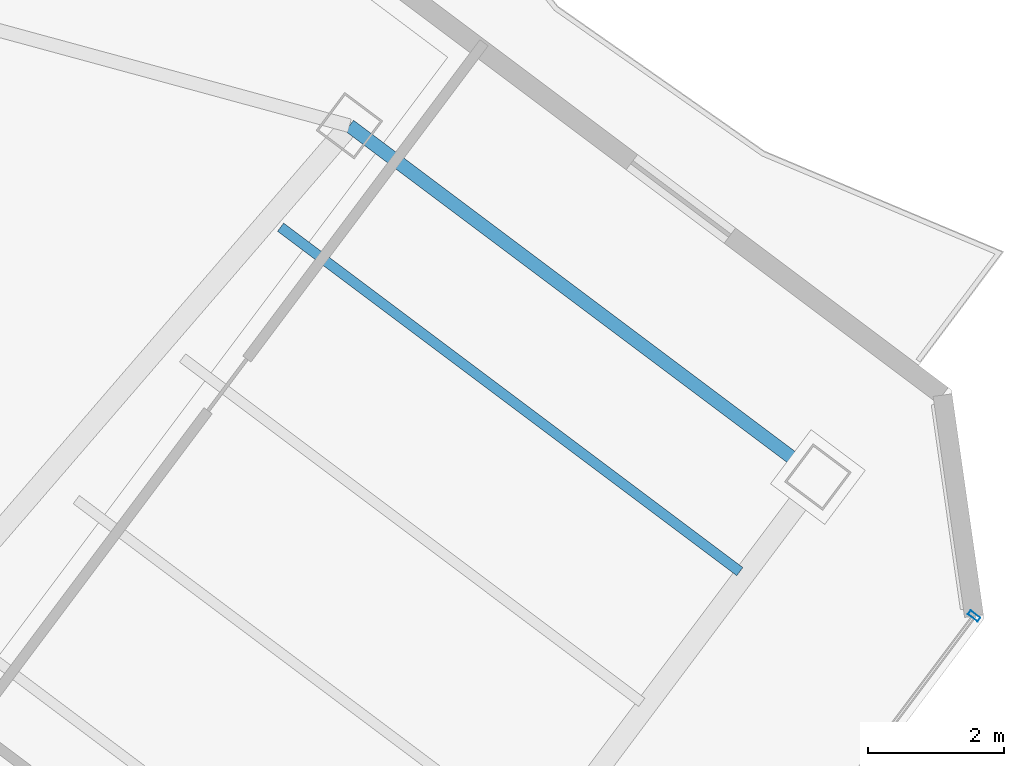
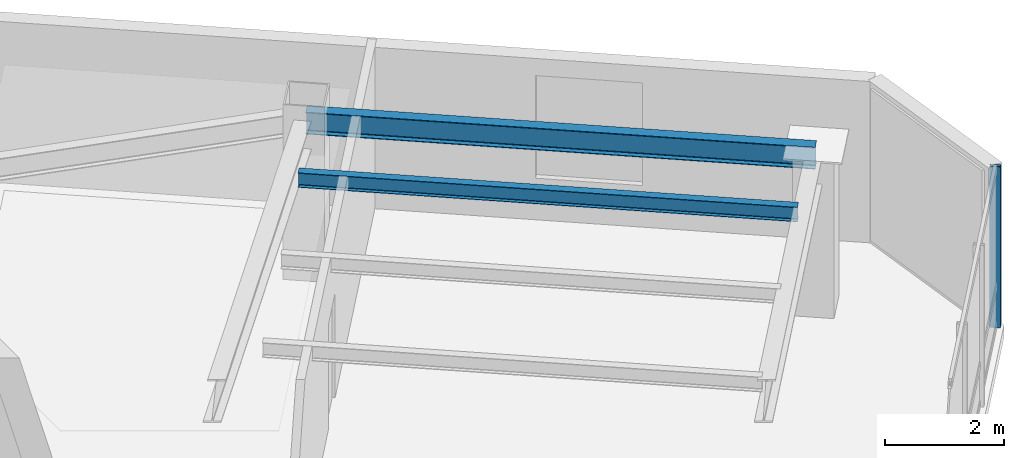
# One storey, part 14 of 25: 2 beams, 1 member, 1 element without a shape of its own.
"""IFC4 building model written with IfcOpenShell, lengths in metres."""

import ifcopenshell
import ifcopenshell.guid

model = None  # the IFC model being written
_history = None  # IfcOwnerHistory: only IFC2X3 demands one
_inside = {}  # id of a spatial element -> (the spatial element, [elements in it])
_under = {}  # id of a project, library or spatial element -> (it, [spatial elements below it])
_declared = {}  # id of a project -> (the project, [libraries it declares])
_typed = {}  # id of a type object -> (the type object, [elements of that type])
_made_of = {}  # id of a material, layer set ... -> (it, [elements and type objects made of it])


def new_model(schema):
    """Start an empty IFC model of exactly this schema.

    Asked for "IFC4X3", IfcOpenShell would pick the latest addendum, in which some entities
    have other attributes; the version numbers below select the first issue.
    IFC2X3 requires an IfcOwnerHistory on every rooted entity: one is made here for all.
    """
    global model, _history
    if schema == "IFC4X3":
        model = ifcopenshell.file(schema_version=(4, 3, 0, 0))
    else:
        model = ifcopenshell.file(schema=schema)
    _inside.clear()
    _under.clear()
    _declared.clear()
    _typed.clear()
    _made_of.clear()
    _history = None
    if model.schema == "IFC2X3":
        org = make("IfcOrganization", Name="unknown")
        user = make(
            "IfcPersonAndOrganization",
            ThePerson=make("IfcPerson", FamilyName="unknown"),
            TheOrganization=org,
        )
        app = make(
            "IfcApplication",
            ApplicationDeveloper=org,
            Version="unknown",
            ApplicationFullName="unknown",
            ApplicationIdentifier="unknown",
        )
        _history = make(
            "IfcOwnerHistory",
            OwningUser=user,
            OwningApplication=app,
            ChangeAction="ADDED",
            CreationDate=0,
        )
    return model


def make(cls, **values):
    """One entity of the class cls with the attributes given. An attribute that is None is left unset."""
    return model.create_entity(
        cls, **{name: value for name, value in values.items() if value is not None}
    )


def rooted(cls, **values):
    """An entity with a GlobalId (a new one), such as an element, a storey or a relation."""
    return make(cls, GlobalId=ifcopenshell.guid.new(), OwnerHistory=_history, **values)


def si_unit(unit_type, name, prefix=None):
    """IfcSIUnit, for example si_unit("LENGTHUNIT", "METRE", prefix="MILLI")."""
    return make("IfcSIUnit", UnitType=unit_type, Prefix=prefix, Name=name)


def assignment(units):
    """IfcUnitAssignment: the units of a project."""
    return None if units is None else make("IfcUnitAssignment", Units=units)


def point(xyz):
    """IfcCartesianPoint."""
    return None if xyz is None else make("IfcCartesianPoint", Coordinates=xyz)


def direction(xyz):
    """IfcDirection."""
    return None if xyz is None else make("IfcDirection", DirectionRatios=xyz)


def frame(location, z_axis=None, x_axis=None):
    """IfcAxis2Placement3D, a coordinate frame: its origin and axes. An axis left out is left unset."""
    return make(
        "IfcAxis2Placement3D",
        Location=point(location),
        Axis=direction(z_axis),
        RefDirection=direction(x_axis),
    )


def frame_2d(location, x_axis=None):
    """IfcAxis2Placement2D, a coordinate frame in the plane: its origin and x axis."""
    return make(
        "IfcAxis2Placement2D", Location=point(location), RefDirection=direction(x_axis)
    )


def origin():
    """The frame at (0, 0, 0) with its axes left unset."""
    return frame((0.0, 0.0, 0.0))


def origin_2d():
    """The frame at (0, 0) in the plane with its x axis left unset."""
    return frame_2d((0.0, 0.0))


def place(relative_to, where):
    """IfcLocalPlacement: puts the frame where relative to a parent placement (None: the world)."""
    return make(
        "IfcLocalPlacement", PlacementRelTo=relative_to, RelativePlacement=where
    )


def context(
    kind, dimensions, precision=None, world=None, true_north=None, identifier=None
):
    """IfcGeometricRepresentationContext, for example the 3D "Model" context."""
    return make(
        "IfcGeometricRepresentationContext",
        ContextIdentifier=identifier,
        ContextType=kind,
        CoordinateSpaceDimension=dimensions,
        Precision=precision,
        WorldCoordinateSystem=world,
        TrueNorth=true_north,
    )


def subcontext(parent, identifier, kind, view, scale=None):
    """IfcGeometricRepresentationSubContext, for example "Body" below "Model"."""
    return make(
        "IfcGeometricRepresentationSubContext",
        ContextIdentifier=identifier,
        ContextType=kind,
        ParentContext=parent,
        TargetScale=scale,
        TargetView=view,
    )


def project(units=None, contexts=None):
    """IfcProject with its units and contexts."""
    return rooted(
        "IfcProject",
        Name="project",
        RepresentationContexts=contexts,
        UnitsInContext=assignment(units),
    )


def spatial(cls, under=None, at=None, **own):
    """A site, building, storey or space (cls), placed at a placement, below another one or the project."""
    s = rooted(cls, ObjectPlacement=at, **own)
    if under is not None:
        _under.setdefault(under.id(), (under, []))[1].append(s)
    return s


def profile(cls, at=None, kind="AREA", **sizes):
    """A parametric profile (cls). Its sizes go by their IFC names, for example OverallWidth=200.0."""
    return make(cls, ProfileType=kind, Position=at, **sizes)


def hollow_rectangle(**sizes):
    """IfcRectangleHollowProfileDef."""
    return profile("IfcRectangleHollowProfileDef", **sizes)


def i_section(**sizes):
    """IfcIShapeProfileDef."""
    return profile("IfcIShapeProfileDef", **sizes)


def extrude(swept, where, along, depth):
    """IfcExtrudedAreaSolid: the profile swept, set in the frame where, extruded along a direction by depth."""
    return make(
        "IfcExtrudedAreaSolid",
        SweptArea=swept,
        Position=where,
        ExtrudedDirection=direction(along),
        Depth=depth,
    )


def shape(context_of_items, identifier, shape_type, items):
    """IfcShapeRepresentation: the items that make up one representation, for example the "Body"."""
    return make(
        "IfcShapeRepresentation",
        ContextOfItems=context_of_items,
        RepresentationIdentifier=identifier,
        RepresentationType=shape_type,
        Items=items,
    )


def material(Name=None, Category=None):
    """IfcMaterial."""
    return make("IfcMaterial", Name=Name, Category=Category)


def layer(
    of_material, thickness, ventilated=None, Name=None, Category=None, Priority=None
):
    """IfcMaterialLayer: one layer of a wall or slab, of a material (None: an air gap)."""
    return make(
        "IfcMaterialLayer",
        Material=of_material,
        LayerThickness=thickness,
        IsVentilated=ventilated,
        Name=Name,
        Category=Category,
        Priority=Priority,
    )


def layer_set(layers, Name=None):
    """IfcMaterialLayerSet."""
    return make("IfcMaterialLayerSet", MaterialLayers=layers, LayerSetName=Name)


def material_profile(
    of_material, cross_section, Name=None, Category=None, Priority=None
):
    """IfcMaterialProfile: a cross section and its material."""
    return make(
        "IfcMaterialProfile",
        Name=Name,
        Material=of_material,
        Profile=cross_section,
        Priority=Priority,
        Category=Category,
    )


def profile_set(profiles, Name=None, composite=None):
    """IfcMaterialProfileSet."""
    return make(
        "IfcMaterialProfileSet",
        Name=Name,
        MaterialProfiles=profiles,
        CompositeProfile=composite,
    )


def made_of(thing, what):
    """Note that an element or type object is made of a material, layer set ...; save() writes the relation."""
    if what is not None:
        _made_of.setdefault(what.id(), (what, []))[1].append(thing)
    return thing


def type_object(cls, material=None, **own):
    """A type object (cls), such as IfcWallType, which elements share."""
    return made_of(rooted(cls, **own), material)


def element(
    cls,
    number,
    at=None,
    inside=None,
    cuts=None,
    type_object=None,
    material=None,
    context=None,
    identifier="Body",
    shape_type=None,
    held_by="IfcProductDefinitionShape",
    body=None,
    shapes=None,
    **own,
):
    """One element of the class cls, such as IfcWall. Its Tag is "e" and its number.

    at: its placement. inside: the storey or other place that contains it. cuts: it is an
    opening in that element (IfcRelVoidsElement). A single representation is given by context,
    identifier, shape_type and body (its items); several are given by shapes. held_by: the class
    of the entity that holds the representations. save() writes the other relations.
    """
    e = rooted(cls, Tag="e%d" % number, ObjectPlacement=at, **own)
    if body is not None:
        shapes = [shape(context, identifier, shape_type, body)]
    if shapes is not None:
        e.Representation = make(held_by, Representations=shapes)
    if inside is not None:
        _inside.setdefault(inside.id(), (inside, []))[1].append(e)
    if cuts is not None:
        rooted(
            "IfcRelVoidsElement", RelatingBuildingElement=cuts, RelatedOpeningElement=e
        )
    if type_object is not None:
        _typed.setdefault(type_object.id(), (type_object, []))[1].append(e)
    return made_of(e, material)


def aggregate(whole, parts):
    """IfcRelAggregates: a whole, such as a stair, and the parts it consists of."""
    return rooted("IfcRelAggregates", RelatingObject=whole, RelatedObjects=parts)


def save(model, path):
    """Write the relations noted so far, then the file.

    IfcRelAggregates (storeys below a building ...), IfcRelContainedInSpatialStructure (elements
    in a storey), IfcRelDefinesByType, IfcRelAssociatesMaterial and IfcRelDeclares: one each for
    every whole, place, type object, material and project.
    """
    for whole, parts in _under.values():
        aggregate(whole, parts)
    for where, things in _inside.values():
        rooted(
            "IfcRelContainedInSpatialStructure",
            RelatedElements=things,
            RelatingStructure=where,
        )
    for kind, things in _typed.values():
        rooted("IfcRelDefinesByType", RelatedObjects=things, RelatingType=kind)
    for what, things in _made_of.values():
        rooted("IfcRelAssociatesMaterial", RelatedObjects=things, RelatingMaterial=what)
    for by, libraries in _declared.values():
        rooted("IfcRelDeclares", RelatingContext=by, RelatedDefinitions=libraries)
    model.write(path)


model = new_model("IFC4")

# Units and contexts
model_context = context("Model", 3, precision=1e-05, world=origin(), true_north=direction((0.0, 1.0)))
body_context = subcontext(model_context, "Body", "Model", "MODEL_VIEW")
ifc_project = project(units=[si_unit("LENGTHUNIT", "METRE"), si_unit("AREAUNIT", "SQUARE_METRE"), si_unit("VOLUMEUNIT", "CUBIC_METRE"), si_unit("PLANEANGLEUNIT", "RADIAN"), si_unit("MASSUNIT", "GRAM", prefix="KILO")], contexts=[model_context])

# Site, building, storey
site_placement = place(None, origin())
site = spatial("IfcSite", under=ifc_project, at=site_placement, CompositionType="ELEMENT")
building_placement = place(site_placement, origin())
building = spatial("IfcBuilding", under=site, at=building_placement, Name="Hatsunagi Terrace Concourse", CompositionType="ELEMENT")
storey_placement = place(building_placement, frame((0.0, 0.0, 231.14990234375)))
storey = spatial("IfcBuildingStorey", under=building, at=storey_placement, Name="L61", CompositionType="ELEMENT", Elevation=231.14990234375)

# Curtain wall, member
ifc_material_1 = material(Name="Anodised Aluminium Alloy 6063-T5", Category="aluminium")
ifc_layer = layer(ifc_material_1, 0.199951171875)
ifc_layer_set = layer_set([ifc_layer], Name="OfficeZone2_CW04")
curtain_wall_type = type_object("IfcCurtainWallType", Name="OfficeZone2_CW04", PredefinedType="NOTDEFINED", material=ifc_layer_set)
curtain_wall_placement = place(storey_placement, origin())
curtain_wall = element("IfcCurtainWall", 1, at=curtain_wall_placement, inside=storey, type_object=curtain_wall_type, Name="Unitised Curtain Wall CW-04 CW-L61-03", PredefinedType="NOTDEFINED")
ifc_material_2 = material(Name="Anodised Aluminium Alloy 6063-T5", Category="aluminium")
ifc_material_profile_1 = material_profile(ifc_material_2, hollow_rectangle(XDim=0.070068359375, YDim=0.179931640625, WallThickness=0.00390625, at=origin_2d()), Name="ALU-MUL-180x70x4")
ifc_profile_set_1 = profile_set([ifc_material_profile_1], Name="Anodised Aluminium Alloy 6063-T5")
member_type = type_object("IfcMemberType", Name="CurtainWallMullion_180x70", PredefinedType="MULLION", material=ifc_profile_set_1)
member_placement = place(storey_placement, frame((60.693115234375, 25.9580078125, 0.0), z_axis=(0.0, 0.0, 1.0), x_axis=(-0.599969314634, -0.800023013105, 0.0)))
member = element("IfcMember", 2, at=member_placement, type_object=member_type, Name="Curtain Wall Mullion MUL-02", PredefinedType="MULLION", context=body_context, shape_type="SweptSolid", body=[
    extrude(hollow_rectangle(XDim=0.070068359375, YDim=0.179931640625, WallThickness=0.00390625, at=origin_2d()), origin(), (0.0, 0.0, 1.0), 3.300048828125),
])
aggregate(curtain_wall, [member])

# Beams
ifc_material_3 = material(Name="Steel SN490B", Category="steel")
ifc_material_profile_2 = material_profile(ifc_material_3, i_section(OverallWidth=0.14990234375, OverallDepth=0.300048828125, WebThickness=0.006591796875, FlangeThickness=0.009033203125, FilletRadius=0.010986328125, at=origin_2d()), Name="H-300x150x6.5x9")
ifc_profile_set_2 = profile_set([ifc_material_profile_2], Name="Steel SN490B")
beam_type_1 = type_object("IfcBeamType", Name="OfficeJoist_H_300x150", PredefinedType="JOIST", material=ifc_profile_set_2)
beam_1_placement = place(storey_placement, frame((50.508056640625, 31.6689453125, 3.150146484375), z_axis=(0.800003475366, -0.59999536615, 0.0), x_axis=(0.59999536615, 0.800003475366, 0.0)))
element("IfcBeam", 3, at=beam_1_placement, inside=storey, type_object=beam_type_1, Name="Beam J-03 J-L61-SE-2-218", PredefinedType="JOIST", context=body_context, shape_type="SweptSolid", body=[
    extrude(i_section(OverallWidth=0.14990234375, OverallDepth=0.300048828125, WebThickness=0.006591796875, FlangeThickness=0.009033203125, FilletRadius=0.010986328125, at=origin_2d()), origin(), (0.0, 0.0, 1.0), 8.429931640625),
])
ifc_material_4 = material(Name="Steel SN490B", Category="steel")
ifc_material_profile_3 = material_profile(ifc_material_4, i_section(OverallWidth=0.199951171875, OverallDepth=0.449951171875, WebThickness=0.009033203125, FlangeThickness=0.013916015625, FilletRadius=0.01611328125, at=origin_2d()), Name="H-450x200x9x14")
ifc_profile_set_3 = profile_set([ifc_material_profile_3], Name="Steel SN490B")
beam_type_2 = type_object("IfcBeamType", Name="PerimeterSpandrel_H_450x200", PredefinedType="SPANDREL", material=ifc_profile_set_3)
beam_2_placement = place(storey_placement, frame((51.52001953125, 33.159912109375, 3.0751953125), z_axis=(0.8, -0.6, 0.0), x_axis=(0.6, 0.8, 0.0)))
element("IfcBeam", 4, at=beam_2_placement, inside=storey, type_object=beam_type_2, Name="Beam SP-02 BM-L61-SE-NE2", PredefinedType="SPANDREL", context=body_context, shape_type="SweptSolid", body=[
    extrude(i_section(OverallWidth=0.199951171875, OverallDepth=0.449951171875, WebThickness=0.009033203125, FlangeThickness=0.013916015625, FilletRadius=0.01611328125, at=origin_2d()), origin(), (0.0, 0.0, 1.0), 8.599853515625),
])

save(model, "model.ifc")
